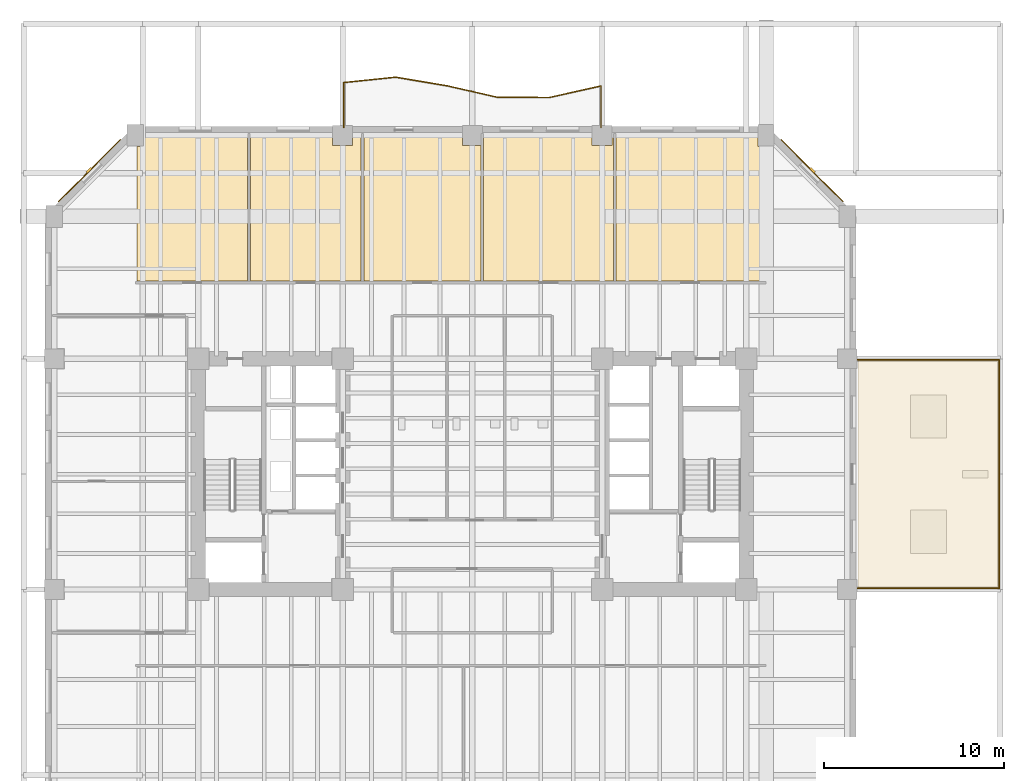
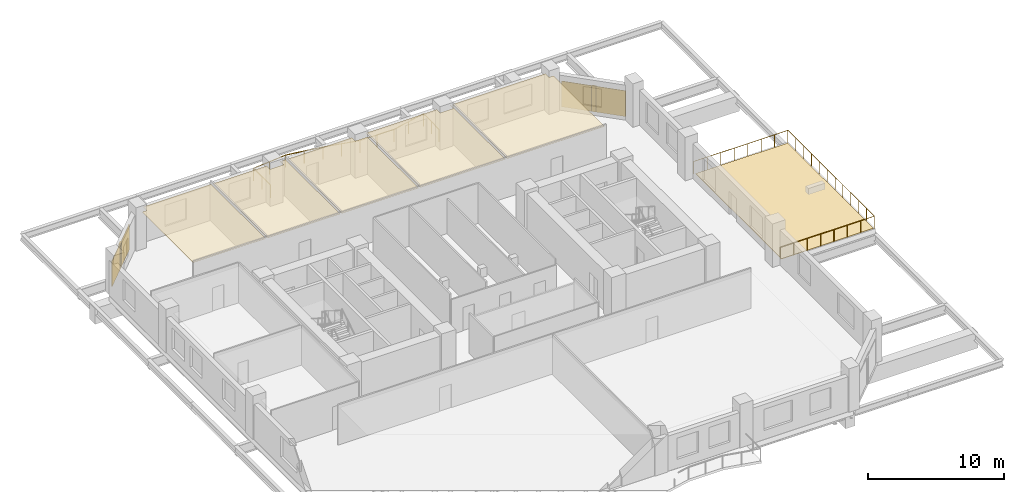
# One storey, part 10 of 11: 8 coverings, 2 railings, 2 shading devices.
"""IFC4 building model written with IfcOpenShell, lengths in metres."""

from ifc_helpers import new_model, si_unit, direction, frame, origin, origin_2d, place, context, subcontext, project, spatial, polyline, rectangle, circle, outline, extrude, material, layer, layer_set, type_object, element, save


model = new_model("IFC4")

# Units and contexts
model_context = context("Model", 3, precision=1e-05, world=origin(), true_north=direction((0.0, 1.0)))
body_context = subcontext(model_context, "Body", "Model", "MODEL_VIEW")
ifc_project = project(units=[si_unit("LENGTHUNIT", "METRE"), si_unit("AREAUNIT", "SQUARE_METRE"), si_unit("VOLUMEUNIT", "CUBIC_METRE"), si_unit("PLANEANGLEUNIT", "RADIAN"), si_unit("MASSUNIT", "GRAM", prefix="KILO")], contexts=[model_context])

# Site, building, storey
site_placement = place(None, origin())
site = spatial("IfcSite", under=ifc_project, at=site_placement, CompositionType="ELEMENT")
building_placement = place(site_placement, origin())
building = spatial("IfcBuilding", under=site, at=building_placement, Name="Kranthara Brick Stack", CompositionType="ELEMENT")
storey_placement = place(building_placement, frame((0.0, 0.0, 24.300048828125)))
storey = spatial("IfcBuildingStorey", under=building, at=storey_placement, Name="L05", CompositionType="ELEMENT", Elevation=24.300048828125)

# Coverings
ifc_material_1 = material(Name="Perforated mineral-fibre acoustic ceiling tile", Category="other")
ifc_layer_1 = layer(ifc_material_1, 0.02490234375)
ifc_layer_set_1 = layer_set([ifc_layer_1], Name="Perforated mineral-fibre acoustic ceiling tile")
covering_type_1 = type_object("IfcCoveringType", Name="COV-CEIL-ACOUSTIC", PredefinedType="CEILING", material=ifc_layer_set_1)
covering_1_placement = place(storey_placement, frame((0.0, 0.0, 3.329833984375)))
element("IfcCovering", 1, at=covering_1_placement, inside=storey, type_object=covering_type_1, Name="L05 L05 Executive Cellular Office 1 Acoustic Ceiling", PredefinedType="CEILING", context=body_context, shape_type="SweptSolid", body=[
    extrude(outline(polyline([(15.52001953125, 45.929931640625), (15.52001953125, 37.919921875), (9.3798828125, 37.919921875), (9.3798828125, 45.389892578125), (9.760009765625, 45.389892578125), (9.760009765625, 45.929931640625), (15.52001953125, 45.929931640625)])), origin(), (0.0, 0.0, 1.0), 0.025146484375),
])
covering_2_placement = place(storey_placement, frame((0.0, 0.0, 3.329833984375)))
element("IfcCovering", 2, at=covering_2_placement, inside=storey, type_object=covering_type_1, Name="L05 L05 Executive Cellular Office 2 Acoustic Ceiling", PredefinedType="CEILING", context=body_context, shape_type="SweptSolid", body=[
    extrude(outline(polyline([(21.820068359375, 45.929931640625), (21.820068359375, 37.919921875), (15.679931640625, 37.919921875), (15.679931640625, 45.929931640625), (20.239990234375, 45.929931640625), (20.239990234375, 45.43994140625), (21.360107421875, 45.43994140625), (21.360107421875, 45.929931640625), (21.820068359375, 45.929931640625)])), origin(), (0.0, 0.0, 1.0), 0.025146484375),
])
covering_3_placement = place(storey_placement, frame((0.0, 0.0, 3.329833984375)))
element("IfcCovering", 3, at=covering_3_placement, inside=storey, type_object=covering_type_1, Name="L05 L05 Executive Cellular Office 3 Acoustic Ceiling", PredefinedType="CEILING", context=body_context, shape_type="SweptSolid", body=[
    extrude(outline(polyline([(28.469970703125, 37.919921875), (21.97998046875, 37.919921875), (21.97998046875, 45.929931640625), (27.43994140625, 45.929931640625), (27.43994140625, 45.43994140625), (28.469970703125, 45.43994140625), (28.469970703125, 37.919921875)])), origin(), (0.0, 0.0, 1.0), 0.025146484375),
])
covering_4_placement = place(storey_placement, frame((0.0, 0.0, 3.329833984375)))
element("IfcCovering", 4, at=covering_4_placement, inside=storey, type_object=covering_type_1, Name="L05 L05 Meeting Room 4 Acoustic Ceiling", PredefinedType="CEILING", context=body_context, shape_type="SweptSolid", body=[
    extrude(outline(polyline([(35.820068359375, 45.929931640625), (35.820068359375, 37.919921875), (28.6298828125, 37.919921875), (28.6298828125, 45.929931640625), (34.639892578125, 45.929931640625), (34.639892578125, 45.43994140625), (35.760009765625, 45.43994140625), (35.760009765625, 45.929931640625), (35.820068359375, 45.929931640625)])), origin(), (0.0, 0.0, 1.0), 0.025146484375),
])
covering_5_placement = place(storey_placement, frame((0.0, 0.0, 3.329833984375)))
element("IfcCovering", 5, at=covering_5_placement, inside=storey, type_object=covering_type_1, Name="L05 L05 Staff Pantry 5 Acoustic Ceiling", PredefinedType="CEILING", context=body_context, shape_type="SweptSolid", body=[
    extrude(outline(polyline([(44.219970703125, 37.919921875), (35.97998046875, 37.919921875), (35.97998046875, 45.929931640625), (43.840087890625, 45.929931640625), (43.840087890625, 45.389892578125), (44.219970703125, 45.389892578125), (44.219970703125, 37.919921875)])), origin(), (0.0, 0.0, 1.0), 0.025146484375),
])
ifc_material_2 = material(Name="Warm buff kiln-fired brick slip rainscreen", Category="masonry")
ifc_layer_2 = layer(ifc_material_2, 0.044921875)
ifc_layer_set_2 = layer_set([ifc_layer_2], Name="Warm buff kiln-fired brick slip rainscreen")
covering_type_2 = type_object("IfcCoveringType", Name="COV-CLAD-BRICK", PredefinedType="CLADDING", material=ifc_layer_set_2)
for number, where, z_axis, x_axis, name in (
    (6, (6.756591796875, 44.04345703125, 0.0498046875), (0.0, 0.0, 1.0), (0.707106781187, 0.707106781187, 0.0), "L05 Chamfer Brick Rainscreen Cladding NW"),
    (7, (46.843505859375, 44.04345703125, 0.0498046875), (0.0, 0.0, 1.0), (0.707106781187, -0.707106781187, 0.0), "L05 Chamfer Brick Rainscreen Cladding NE"),
):
    element("IfcCovering", number, at=place(storey_placement, frame(where, z_axis=z_axis, x_axis=x_axis)), inside=storey, type_object=covering_type_2, Name=name, PredefinedType="CLADDING", context=body_context, shape_type="SweptSolid", body=[
        extrude(rectangle(XDim=4.876953125, YDim=0.044921875, at=origin_2d()), origin(), (0.0, 0.0, 1.0), 2.300048828125),
    ])
ifc_material_3 = material(Name="EPDM waterproofing membrane and rigid insulation", Category="other")
ifc_layer_3 = layer(ifc_material_3, 0.0400390625)
ifc_layer_set_3 = layer_set([ifc_layer_3], Name="EPDM waterproofing membrane and rigid insulation")
covering_type_3 = type_object("IfcCoveringType", Name="COV-ROOF-MEMB", PredefinedType="ROOFING", material=ifc_layer_set_3)
covering_6_placement = place(storey_placement, frame((0.0, 0.0, -0.0400390625)))
element("IfcCovering", 8, at=covering_6_placement, inside=storey, type_object=covering_type_3, Name="L05 Sky Garden Waterproofing Membrane", PredefinedType="ROOFING", context=body_context, shape_type="SweptSolid", body=[
    extrude(outline(polyline([(49.39990234375, 20.89990234375), (57.199951171875, 20.89990234375), (57.199951171875, 33.5), (49.39990234375, 33.5), (49.39990234375, 20.89990234375)])), origin(), (0.0, 0.0, 1.0), 0.0400390625),
])

# Railings
ifc_material_4 = material(Name="Bronze anodised aluminium and laminated glass balustrade", Category="aluminium")
railing_type_1 = type_object("IfcRailingType", Name="RL-BALC-1120", PredefinedType="BALUSTRADE", material=ifc_material_4)
railing_1_placement = place(storey_placement, frame((20.860107421875, 46.43994140625, 0.0)))
element("IfcRailing", 9, at=railing_1_placement, inside=storey, type_object=railing_type_1, Name="L05 North Rippling Balcony Balustrade", PredefinedType="BALUSTRADE", context=body_context, shape_type="SweptSolid", body=[
    extrude(circle(Radius=0.02392578125, at=origin_2d()), frame((0.0, 0.0, 1.09619140625), z_axis=(-0.000196039988, 0.999999980784, 0.0), x_axis=(-0.999999980784, -0.000196039988, 0.0)), (0.0, 0.0, 1.0), 2.49072265625),
    extrude(circle(Radius=0.02392578125, at=origin_2d()), frame((-0.00048828125, 2.49072265625, 1.09619140625), z_axis=(0.994688815746, 0.102927935132, 0.0), x_axis=(-0.102927935132, 0.994688815746, 0.0)), (0.0, 0.0, 1.0), 2.893798828125),
    extrude(circle(Radius=0.02392578125, at=origin_2d()), frame((2.8779296875, 2.78857421875, 1.09619140625), z_axis=(0.986266935249, -0.165159112481, 0.0), x_axis=(0.165159112481, 0.986266935249, 0.0)), (0.0, 0.0, 1.0), 2.91650390625),
    extrude(circle(Radius=0.02392578125, at=origin_2d()), frame((5.75439453125, 2.306884765625, 1.09619140625), z_axis=(0.974896418621, -0.222658871279, 0.0), x_axis=(0.222658871279, 0.974896418621, 0.0)), (0.0, 0.0, 1.0), 2.836669921875),
    extrude(circle(Radius=0.02392578125, at=origin_2d()), frame((8.519775390625, 1.67529296875, 1.09619140625), z_axis=(0.99998618976, -0.00525550087, 0.0), x_axis=(0.00525550087, 0.99998618976, 0.0)), (0.0, 0.0, 1.0), 2.880126953125),
    extrude(circle(Radius=0.02392578125, at=origin_2d()), frame((11.39990234375, 1.66015625, 1.09619140625), z_axis=(0.976231823115, 0.2167289264, 0.0), x_axis=(-0.2167289264, 0.976231823115, 0.0)), (0.0, 0.0, 1.0), 2.9501953125),
    extrude(circle(Radius=0.02392578125, at=origin_2d()), frame((14.280029296875, 2.299560546875, 1.09619140625), z_axis=(-0.000106168382, -0.999999994364, 0.0), x_axis=(0.999999994364, -0.000106168382, 0.0)), (0.0, 0.0, 1.0), 2.299560546875),
    extrude(circle(Radius=0.02099609375, at=origin_2d()), origin(), (0.0, 0.0, 1.0), 1.072021484375),
    extrude(circle(Radius=0.02099609375, at=origin_2d()), frame((-0.000244140625, 1.245361328125, 0.0)), (0.0, 0.0, 1.0), 1.072021484375),
    extrude(circle(Radius=0.02099609375, at=origin_2d()), frame((-0.00048828125, 2.49072265625, 0.0)), (0.0, 0.0, 1.0), 1.072021484375),
    extrude(circle(Radius=0.02099609375, at=origin_2d()), frame((1.438720703125, 2.6396484375, 0.0)), (0.0, 0.0, 1.0), 1.072021484375),
    extrude(circle(Radius=0.02099609375, at=origin_2d()), frame((2.8779296875, 2.78857421875, 0.0)), (0.0, 0.0, 1.0), 1.072021484375),
    extrude(circle(Radius=0.02099609375, at=origin_2d()), frame((4.316162109375, 2.5478515625, 0.0)), (0.0, 0.0, 1.0), 1.072021484375),
    extrude(circle(Radius=0.02099609375, at=origin_2d()), frame((5.75439453125, 2.306884765625, 0.0)), (0.0, 0.0, 1.0), 1.072021484375),
    extrude(circle(Radius=0.02099609375, at=origin_2d()), frame((7.13720703125, 1.9912109375, 0.0)), (0.0, 0.0, 1.0), 1.072021484375),
    extrude(circle(Radius=0.02099609375, at=origin_2d()), frame((8.519775390625, 1.67529296875, 0.0)), (0.0, 0.0, 1.0), 1.072021484375),
    extrude(circle(Radius=0.02099609375, at=origin_2d()), frame((9.9599609375, 1.667724609375, 0.0)), (0.0, 0.0, 1.0), 1.072021484375),
    extrude(circle(Radius=0.02099609375, at=origin_2d()), frame((11.39990234375, 1.66015625, 0.0)), (0.0, 0.0, 1.0), 1.072021484375),
    extrude(circle(Radius=0.02099609375, at=origin_2d()), frame((12.83984375, 1.97998046875, 0.0)), (0.0, 0.0, 1.0), 1.072021484375),
    extrude(circle(Radius=0.02099609375, at=origin_2d()), frame((14.280029296875, 2.299560546875, 0.0)), (0.0, 0.0, 1.0), 1.072021484375),
    extrude(circle(Radius=0.02099609375, at=origin_2d()), frame((14.27978515625, 1.14990234375, 0.0)), (0.0, 0.0, 1.0), 1.072021484375),
    extrude(circle(Radius=0.02099609375, at=origin_2d()), frame((14.27978515625, 0.0, 0.0)), (0.0, 0.0, 1.0), 1.072021484375),
])
ifc_material_5 = material(Name="Bronze anodised aluminium guardrail", Category="aluminium")
railing_type_2 = type_object("IfcRailingType", Name="RL-TERR-1100", PredefinedType="GUARDRAIL", material=ifc_material_5)
railing_2_placement = place(storey_placement, frame((49.260009765625, 20.860107421875, 0.0)))
element("IfcRailing", 10, at=railing_2_placement, inside=storey, type_object=railing_type_2, Name="L05 Sky Garden Perimeter Guardrail", PredefinedType="GUARDRAIL", context=body_context, shape_type="SweptSolid", body=[
    extrude(circle(Radius=0.02392578125, at=origin_2d()), frame((0.0, 0.0, 1.09619140625), z_axis=(1.0, 0.0, 0.0), x_axis=(0.0, 1.0, 0.0)), (0.0, 0.0, 1.0), 7.97998046875),
    extrude(circle(Radius=0.02392578125, at=origin_2d()), frame((7.97998046875, 0.0, 1.09619140625), z_axis=(0.0, 1.0, 0.0), x_axis=(-1.0, 0.0, 0.0)), (0.0, 0.0, 1.0), 12.679931640625),
    extrude(circle(Radius=0.02392578125, at=origin_2d()), frame((7.97998046875, 12.679931640625, 1.09619140625), z_axis=(-1.0, 0.0, 0.0), x_axis=(0.0, -1.0, 0.0)), (0.0, 0.0, 1.0), 7.97998046875),
    extrude(circle(Radius=0.02099609375, at=origin_2d()), origin(), (0.0, 0.0, 1.0), 1.072021484375),
    extrude(circle(Radius=0.02099609375, at=origin_2d()), frame((1.139892578125, 0.0, 0.0)), (0.0, 0.0, 1.0), 1.072021484375),
    extrude(circle(Radius=0.02099609375, at=origin_2d()), frame((2.280029296875, 0.0, 0.0)), (0.0, 0.0, 1.0), 1.072021484375),
    extrude(circle(Radius=0.02099609375, at=origin_2d()), frame((3.419921875, 0.0, 0.0)), (0.0, 0.0, 1.0), 1.072021484375),
    extrude(circle(Radius=0.02099609375, at=origin_2d()), frame((4.56005859375, 0.0, 0.0)), (0.0, 0.0, 1.0), 1.072021484375),
    extrude(circle(Radius=0.02099609375, at=origin_2d()), frame((5.699951171875, 0.0, 0.0)), (0.0, 0.0, 1.0), 1.072021484375),
    extrude(circle(Radius=0.02099609375, at=origin_2d()), frame((6.840087890625, 0.0, 0.0)), (0.0, 0.0, 1.0), 1.072021484375),
    extrude(circle(Radius=0.02099609375, at=origin_2d()), frame((7.97998046875, 0.0, 0.0)), (0.0, 0.0, 1.0), 1.072021484375),
    extrude(circle(Radius=0.02099609375, at=origin_2d()), frame((7.97998046875, 1.15283203125, 0.0)), (0.0, 0.0, 1.0), 1.072021484375),
    extrude(circle(Radius=0.02099609375, at=origin_2d()), frame((7.97998046875, 2.305419921875, 0.0)), (0.0, 0.0, 1.0), 1.072021484375),
    extrude(circle(Radius=0.02099609375, at=origin_2d()), frame((7.97998046875, 3.458251953125, 0.0)), (0.0, 0.0, 1.0), 1.072021484375),
    extrude(circle(Radius=0.02099609375, at=origin_2d()), frame((7.97998046875, 4.61083984375, 0.0)), (0.0, 0.0, 1.0), 1.072021484375),
    extrude(circle(Radius=0.02099609375, at=origin_2d()), frame((7.97998046875, 5.763671875, 0.0)), (0.0, 0.0, 1.0), 1.072021484375),
    extrude(circle(Radius=0.02099609375, at=origin_2d()), frame((7.97998046875, 6.916259765625, 0.0)), (0.0, 0.0, 1.0), 1.072021484375),
    extrude(circle(Radius=0.02099609375, at=origin_2d()), frame((7.97998046875, 8.069091796875, 0.0)), (0.0, 0.0, 1.0), 1.072021484375),
    extrude(circle(Radius=0.02099609375, at=origin_2d()), frame((7.97998046875, 9.2216796875, 0.0)), (0.0, 0.0, 1.0), 1.072021484375),
    extrude(circle(Radius=0.02099609375, at=origin_2d()), frame((7.97998046875, 10.37451171875, 0.0)), (0.0, 0.0, 1.0), 1.072021484375),
    extrude(circle(Radius=0.02099609375, at=origin_2d()), frame((7.97998046875, 11.527099609375, 0.0)), (0.0, 0.0, 1.0), 1.072021484375),
    extrude(circle(Radius=0.02099609375, at=origin_2d()), frame((7.97998046875, 12.679931640625, 0.0)), (0.0, 0.0, 1.0), 1.072021484375),
    extrude(circle(Radius=0.02099609375, at=origin_2d()), frame((6.840087890625, 12.679931640625, 0.0)), (0.0, 0.0, 1.0), 1.072021484375),
    extrude(circle(Radius=0.02099609375, at=origin_2d()), frame((5.699951171875, 12.679931640625, 0.0)), (0.0, 0.0, 1.0), 1.072021484375),
    extrude(circle(Radius=0.02099609375, at=origin_2d()), frame((4.56005859375, 12.679931640625, 0.0)), (0.0, 0.0, 1.0), 1.072021484375),
    extrude(circle(Radius=0.02099609375, at=origin_2d()), frame((3.419921875, 12.679931640625, 0.0)), (0.0, 0.0, 1.0), 1.072021484375),
    extrude(circle(Radius=0.02099609375, at=origin_2d()), frame((2.280029296875, 12.679931640625, 0.0)), (0.0, 0.0, 1.0), 1.072021484375),
    extrude(circle(Radius=0.02099609375, at=origin_2d()), frame((1.139892578125, 12.679931640625, 0.0)), (0.0, 0.0, 1.0), 1.072021484375),
    extrude(circle(Radius=0.02099609375, at=origin_2d()), frame((0.0, 12.679931640625, 0.0)), (0.0, 0.0, 1.0), 1.072021484375),
])

# Shading devices
ifc_material_6 = material(Name="Kiln-fired terracotta aerodynamic wind fin", Category="masonry")
shading_device_type = type_object("IfcShadingDeviceType", Name="SHD-BAFFLE-CORNER", PredefinedType="SHUTTER", material=ifc_material_6)
for number, where, z_axis, x_axis, name in (
    (11, (6.7353515625, 44.064697265625, 0.0498046875), (0.0, 0.0, 1.0), (0.707106781187, 0.707106781187, 0.0), "L05 Chamfer Wind-Baffle Fin NW"),
    (12, (46.86474609375, 44.064697265625, 0.0498046875), (0.0, 0.0, 1.0), (0.707106781187, -0.707106781187, 0.0), "L05 Chamfer Wind-Baffle Fin NE"),
):
    element("IfcShadingDevice", number, at=place(storey_placement, frame(where, z_axis=z_axis, x_axis=x_axis)), inside=storey, type_object=shading_device_type, Name=name, PredefinedType="SHUTTER", context=body_context, shape_type="SweptSolid", body=[
        extrude(rectangle(XDim=0.35009765625, YDim=0.1201171875, at=origin_2d()), origin(), (0.0, 0.0, 1.0), 2.300048828125),
    ])

save(model, "model.ifc")
